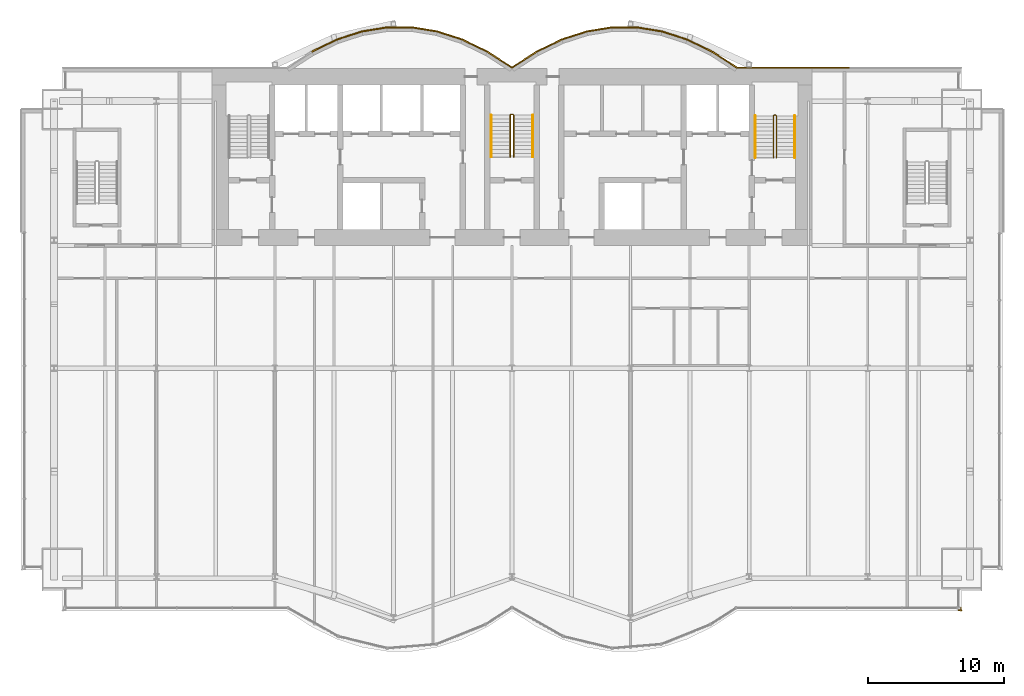
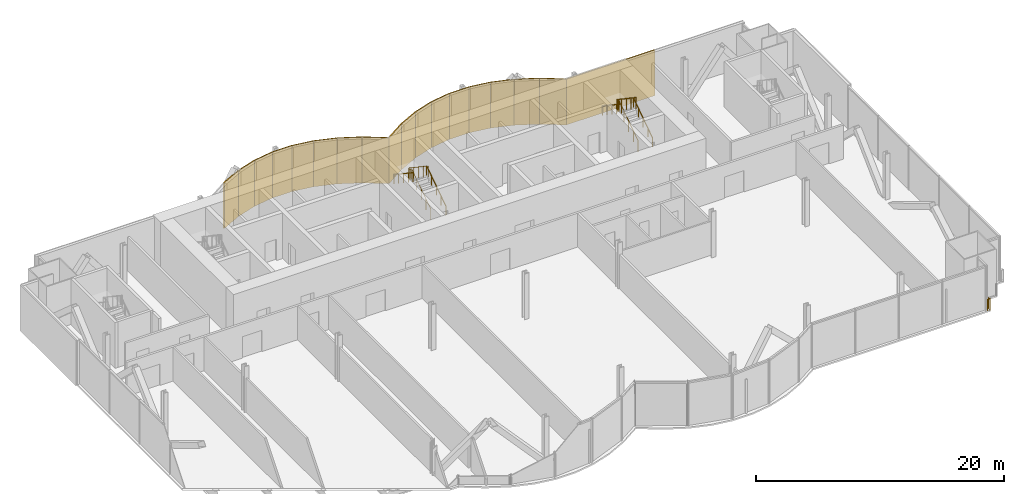
# One storey, part 20 of 21: 18 coverings, 7 railings.
"""IFC4 building model written with IfcOpenShell, lengths in metres."""

from ifc_helpers import new_model, si_unit, direction, frame, origin, origin_2d, place, context, subcontext, project, spatial, rectangle, circle, extrude, material, layer, layer_set, type_object, element, save


model = new_model("IFC4")

# Units and contexts
model_context = context("Model", 3, precision=1e-05, world=origin(), true_north=direction((0.0, 1.0)))
body_context = subcontext(model_context, "Body", "Model", "MODEL_VIEW")
ifc_project = project(units=[si_unit("LENGTHUNIT", "METRE"), si_unit("AREAUNIT", "SQUARE_METRE"), si_unit("VOLUMEUNIT", "CUBIC_METRE"), si_unit("PLANEANGLEUNIT", "RADIAN"), si_unit("MASSUNIT", "GRAM", prefix="KILO")], contexts=[model_context])

# Site, building, storey
site_placement = place(None, origin())
site = spatial("IfcSite", under=ifc_project, at=site_placement, CompositionType="ELEMENT")
building_placement = place(site_placement, origin())
building = spatial("IfcBuilding", under=site, at=building_placement, Name="Bicima Exchange Tower", CompositionType="ELEMENT")
storey_placement = place(building_placement, frame((0.0, 0.0, 75.5)))
storey = spatial("IfcBuildingStorey", under=building, at=storey_placement, Name="L15", CompositionType="ELEMENT", Elevation=75.5)

# Coverings
ifc_material_1 = material(Name="Bronze metal cladding")
ifc_layer_1 = layer(ifc_material_1, 0.004)
ifc_material_2 = material(Name="Ventilated cavity")
ifc_layer_2 = layer(ifc_material_2, 0.06)
ifc_material_3 = material(Name="Galvanised steel rail and mineral wool", Category="steel")
ifc_layer_3 = layer(ifc_material_3, 0.036)
ifc_layer_set = layer_set([ifc_layer_1, ifc_layer_2, ifc_layer_3], Name="Ventilated cavity")
covering_type = type_object("IfcCoveringType", Name="Bronze metal cladding panel 100", PredefinedType="CLADDING", material=ifc_layer_set)
covering_1_placement = place(storey_placement, frame((20.625, 0.050048828125, -0.14990234375), z_axis=(0.0, 0.0, 1.0), x_axis=(-1.0, 0.0, 0.0)))
element("IfcCovering", 1, at=covering_1_placement, inside=storey, type_object=covering_type, Name="Bronze cladding L15 1.2", PredefinedType="CLADDING", context=body_context, shape_type="SweptSolid", body=[
    extrude(rectangle(XDim=8.25, YDim=0.10009765625, at=origin_2d()), origin(), (0.0, 0.0, 1.0), 4.5),
])
covering_2_placement = place(storey_placement, frame((15.610595703125, 0.634521484375, -0.14990234375), z_axis=(0.0, 0.0, 1.0), x_axis=(-0.839790466384, 0.542910648791, 0.0)))
element("IfcCovering", 2, at=covering_2_placement, inside=storey, type_object=covering_type, Name="Bronze cladding L15 2.1", PredefinedType="CLADDING", context=body_context, shape_type="SweptSolid", body=[
    extrude(rectangle(XDim=2.18310546875, YDim=0.10009765625, at=origin_2d()), origin(), (0.0, 0.0, 1.0), 4.5),
])
covering_3_placement = place(storey_placement, frame((13.771728515625, 1.674560546875, -0.14990234375), z_axis=(0.0, 0.0, 1.0), x_axis=(-0.899818346812, 0.436264762204, 0.0)))
element("IfcCovering", 3, at=covering_3_placement, inside=storey, type_object=covering_type, Name="Bronze cladding L15 3.1", PredefinedType="CLADDING", context=body_context, shape_type="SweptSolid", body=[
    extrude(rectangle(XDim=2.03759765625, YDim=0.10009765625, at=origin_2d()), origin(), (0.0, 0.0, 1.0), 4.5),
])
covering_4_placement = place(storey_placement, frame((11.931884765625, 2.41796875, -0.14990234375), z_axis=(0.0, 0.0, 1.0), x_axis=(-0.951524642381, 0.307572519808, 0.0)))
element("IfcCovering", 4, at=covering_4_placement, inside=storey, type_object=covering_type, Name="Bronze cladding L15 4.1", PredefinedType="CLADDING", context=body_context, shape_type="SweptSolid", body=[
    extrude(rectangle(XDim=1.9267578125, YDim=0.10009765625, at=origin_2d()), origin(), (0.0, 0.0, 1.0), 4.5),
])
covering_5_placement = place(storey_placement, frame((10.09130859375, 2.8642578125, -0.14990234375), z_axis=(0.0, 0.0, 1.0), x_axis=(-0.987189786347, 0.159550386184, 0.0)))
element("IfcCovering", 5, at=covering_5_placement, inside=storey, type_object=covering_type, Name="Bronze cladding L15 5.1", PredefinedType="CLADDING", context=body_context, shape_type="SweptSolid", body=[
    extrude(rectangle(XDim=1.857177734375, YDim=0.10009765625, at=origin_2d()), origin(), (0.0, 0.0, 1.0), 4.5),
])
covering_6_placement = place(storey_placement, frame((8.25, 3.012939453125, -0.14990234375), z_axis=(0.0, 0.0, 1.0), x_axis=(-1.0, 0.0, 0.0)))
element("IfcCovering", 6, at=covering_6_placement, inside=storey, type_object=covering_type, Name="Bronze cladding L15 6.1", PredefinedType="CLADDING", context=body_context, shape_type="SweptSolid", body=[
    extrude(rectangle(XDim=1.83349609375, YDim=0.10009765625, at=origin_2d()), origin(), (0.0, 0.0, 1.0), 4.5),
])
covering_7_placement = place(storey_placement, frame((6.40869140625, 2.8642578125, -0.14990234375), z_axis=(0.0, 0.0, 1.0), x_axis=(-0.987189786347, -0.159550386184, 0.0)))
element("IfcCovering", 7, at=covering_7_placement, inside=storey, type_object=covering_type, Name="Bronze cladding L15 7.1", PredefinedType="CLADDING", context=body_context, shape_type="SweptSolid", body=[
    extrude(rectangle(XDim=1.857177734375, YDim=0.10009765625, at=origin_2d()), origin(), (0.0, 0.0, 1.0), 4.5),
])
covering_8_placement = place(storey_placement, frame((4.568115234375, 2.41796875, -0.14990234375), z_axis=(0.0, 0.0, 1.0), x_axis=(-0.951524642381, -0.307572519808, 0.0)))
element("IfcCovering", 8, at=covering_8_placement, inside=storey, type_object=covering_type, Name="Bronze cladding L15 8.1", PredefinedType="CLADDING", context=body_context, shape_type="SweptSolid", body=[
    extrude(rectangle(XDim=1.9267578125, YDim=0.10009765625, at=origin_2d()), origin(), (0.0, 0.0, 1.0), 4.5),
])
covering_9_placement = place(storey_placement, frame((2.728271484375, 1.674560546875, -0.14990234375), z_axis=(0.0, 0.0, 1.0), x_axis=(-0.899818346812, -0.436264762204, 0.0)))
element("IfcCovering", 9, at=covering_9_placement, inside=storey, type_object=covering_type, Name="Bronze cladding L15 9.1", PredefinedType="CLADDING", context=body_context, shape_type="SweptSolid", body=[
    extrude(rectangle(XDim=2.03759765625, YDim=0.10009765625, at=origin_2d()), origin(), (0.0, 0.0, 1.0), 4.5),
])
for number, where, z_axis, x_axis, name in (
    (10, (0.889404296875, 0.634521484375, -0.14990234375), (0.0, 0.0, 1.0), (-0.839790466384, -0.542910648791, 0.0), "Bronze cladding L15 10.1"),
    (11, (-0.889404296875, 0.634521484375, -0.14990234375), (0.0, 0.0, 1.0), (-0.839790466384, 0.542910648791, 0.0), "Bronze cladding L15 11.1"),
):
    element("IfcCovering", number, at=place(storey_placement, frame(where, z_axis=z_axis, x_axis=x_axis)), inside=storey, type_object=covering_type, Name=name, PredefinedType="CLADDING", context=body_context, shape_type="SweptSolid", body=[
        extrude(rectangle(XDim=2.18310546875, YDim=0.10009765625, at=origin_2d()), origin(), (0.0, 0.0, 1.0), 4.5),
    ])
covering_10_placement = place(storey_placement, frame((-2.728271484375, 1.674560546875, -0.14990234375), z_axis=(0.0, 0.0, 1.0), x_axis=(-0.899818346812, 0.436264762204, 0.0)))
element("IfcCovering", 12, at=covering_10_placement, inside=storey, type_object=covering_type, Name="Bronze cladding L15 12.1", PredefinedType="CLADDING", context=body_context, shape_type="SweptSolid", body=[
    extrude(rectangle(XDim=2.03759765625, YDim=0.10009765625, at=origin_2d()), origin(), (0.0, 0.0, 1.0), 4.5),
])
covering_11_placement = place(storey_placement, frame((-4.568115234375, 2.41796875, -0.14990234375), z_axis=(0.0, 0.0, 1.0), x_axis=(-0.951524642381, 0.307572519808, 0.0)))
element("IfcCovering", 13, at=covering_11_placement, inside=storey, type_object=covering_type, Name="Bronze cladding L15 13.1", PredefinedType="CLADDING", context=body_context, shape_type="SweptSolid", body=[
    extrude(rectangle(XDim=1.9267578125, YDim=0.10009765625, at=origin_2d()), origin(), (0.0, 0.0, 1.0), 4.5),
])
covering_12_placement = place(storey_placement, frame((-6.40869140625, 2.8642578125, -0.14990234375), z_axis=(0.0, 0.0, 1.0), x_axis=(-0.987189786347, 0.159550386184, 0.0)))
element("IfcCovering", 14, at=covering_12_placement, inside=storey, type_object=covering_type, Name="Bronze cladding L15 14.1", PredefinedType="CLADDING", context=body_context, shape_type="SweptSolid", body=[
    extrude(rectangle(XDim=1.857177734375, YDim=0.10009765625, at=origin_2d()), origin(), (0.0, 0.0, 1.0), 4.5),
])
covering_13_placement = place(storey_placement, frame((-8.25, 3.012939453125, -0.14990234375), z_axis=(0.0, 0.0, 1.0), x_axis=(-1.0, 0.0, 0.0)))
element("IfcCovering", 15, at=covering_13_placement, inside=storey, type_object=covering_type, Name="Bronze cladding L15 15.1", PredefinedType="CLADDING", context=body_context, shape_type="SweptSolid", body=[
    extrude(rectangle(XDim=1.83349609375, YDim=0.10009765625, at=origin_2d()), origin(), (0.0, 0.0, 1.0), 4.5),
])
covering_14_placement = place(storey_placement, frame((-10.09130859375, 2.8642578125, -0.14990234375), z_axis=(0.0, 0.0, 1.0), x_axis=(-0.987189786347, -0.159550386184, 0.0)))
element("IfcCovering", 16, at=covering_14_placement, inside=storey, type_object=covering_type, Name="Bronze cladding L15 16.1", PredefinedType="CLADDING", context=body_context, shape_type="SweptSolid", body=[
    extrude(rectangle(XDim=1.857177734375, YDim=0.10009765625, at=origin_2d()), origin(), (0.0, 0.0, 1.0), 4.5),
])
covering_15_placement = place(storey_placement, frame((-11.931884765625, 2.41796875, -0.14990234375), z_axis=(0.0, 0.0, 1.0), x_axis=(-0.951524642381, -0.307572519808, 0.0)))
element("IfcCovering", 17, at=covering_15_placement, inside=storey, type_object=covering_type, Name="Bronze cladding L15 17.1", PredefinedType="CLADDING", context=body_context, shape_type="SweptSolid", body=[
    extrude(rectangle(XDim=1.9267578125, YDim=0.10009765625, at=origin_2d()), origin(), (0.0, 0.0, 1.0), 4.5),
])
covering_16_placement = place(storey_placement, frame((-13.771728515625, 1.674560546875, -0.14990234375), z_axis=(0.0, 0.0, 1.0), x_axis=(-0.899818346812, -0.436264762204, 0.0)))
element("IfcCovering", 18, at=covering_16_placement, inside=storey, type_object=covering_type, Name="Bronze cladding L15 18.1", PredefinedType="CLADDING", context=body_context, shape_type="SweptSolid", body=[
    extrude(rectangle(XDim=2.03759765625, YDim=0.10009765625, at=origin_2d()), origin(), (0.0, 0.0, 1.0), 4.5),
])

# Railings
ifc_material_4 = material(Name="Stainless steel and bonded safety glass", Category="steel")
railing_type_1 = type_object("IfcRailingType", Name="Edge guard 1100", PredefinedType="GUARDRAIL", material=ifc_material_4)
railing_1_placement = place(storey_placement, frame((32.949951171875, -39.553955078125, 0.0)))
element("IfcRailing", 19, at=railing_1_placement, inside=storey, type_object=railing_type_1, Name="Edge guard L15 72", PredefinedType="GUARDRAIL", context=body_context, shape_type="SweptSolid", body=[
    extrude(circle(Radius=0.02392578125, at=origin_2d()), frame((0.0, 0.0, 1.076171875), z_axis=(0.0, -1.0, 0.0), x_axis=(1.0, 0.0, 0.0)), (0.0, 0.0, 1.0), 0.25),
    extrude(circle(Radius=0.02392578125, at=origin_2d()), frame((0.0, -0.25, 1.076171875), z_axis=(0.707106781187, 0.707106781187, 0.0), x_axis=(-0.707106781187, 0.707106781187, 0.0)), (0.0, 0.0, 1.0), 0.07080078125),
    extrude(circle(Radius=0.02392578125, at=origin_2d()), frame((0.050048828125, -0.199951171875, 1.076171875), z_axis=(-1.0, 0.0, 0.0), x_axis=(0.0, -1.0, 0.0)), (0.0, 0.0, 1.0), 0.25),
    extrude(circle(Radius=0.02099609375, at=origin_2d()), origin(), (0.0, 0.0, 1.0), 1.052001953125),
    extrude(circle(Radius=0.02099609375, at=origin_2d()), frame((0.0, -0.25, 0.0)), (0.0, 0.0, 1.0), 1.052001953125),
    extrude(circle(Radius=0.02099609375, at=origin_2d()), frame((0.050048828125, -0.199951171875, 0.0)), (0.0, 0.0, 1.0), 1.052001953125),
    extrude(circle(Radius=0.02099609375, at=origin_2d()), frame((-0.199951171875, -0.199951171875, 0.0)), (0.0, 0.0, 1.0), 1.052001953125),
])
ifc_material_5 = material(Name="Stainless steel", Category="steel")
railing_type_2 = type_object("IfcRailingType", Name="Stair guard 1100", PredefinedType="GUARDRAIL", material=ifc_material_5)
railing_2_placement = place(storey_placement, frame((0.125, -6.5, 0.1875)))
element("IfcRailing", 20, at=railing_2_placement, inside=storey, type_object=railing_type_2, Name="L15 ST-C stair guard 1", PredefinedType="GUARDRAIL", context=body_context, shape_type="SweptSolid", body=[
    extrude(circle(Radius=0.02392578125, at=origin_2d()), frame((0.0, 0.0, 1.076171875), z_axis=(0.0, 0.830913701846, 0.55640131208), x_axis=(-1.0, 0.0, 0.0)), (0.0, 0.0, 1.0), 3.706787109375),
    extrude(circle(Radius=0.02392578125, at=origin_2d()), frame((0.0, 3.080078125, 3.138671875), z_axis=(-0.708833529934, 0.705375805398, 0.0), x_axis=(-0.705375805398, -0.708833529934, 0.0)), (0.0, 0.0, 1.0), 0.070556640625),
    extrude(circle(Radius=0.02392578125, at=origin_2d()), frame((-0.050048828125, 3.1298828125, 3.138671875), z_axis=(-1.0, 0.0, 0.0), x_axis=(0.0, -1.0, 0.0)), (0.0, 0.0, 1.0), 0.14990234375),
    extrude(circle(Radius=0.02392578125, at=origin_2d()), frame((-0.199951171875, 3.1298828125, 3.138671875), z_axis=(-0.249802250048, -0.248583702486, 0.935844527007), x_axis=(0.705375805398, -0.708833529934, 0.0)), (0.0, 0.0, 1.0), 0.200439453125),
    extrude(circle(Radius=0.02392578125, at=origin_2d()), frame((-0.25, 3.080078125, 3.326171875), z_axis=(0.0, -0.830913701846, 0.55640131208), x_axis=(1.0, 0.0, 0.0)), (0.0, 0.0, 1.0), 3.706787109375),
    extrude(circle(Radius=0.02099609375, at=origin_2d()), origin(), (0.0, 0.0, 1.0), 1.052001953125),
    extrude(circle(Radius=0.02099609375, at=origin_2d()), frame((0.0, 0.77001953125, 0.515625)), (0.0, 0.0, 1.0), 1.052001953125),
    extrude(circle(Radius=0.02099609375, at=origin_2d()), frame((0.0, 1.5400390625, 1.03125)), (0.0, 0.0, 1.0), 1.052001953125),
    extrude(circle(Radius=0.02099609375, at=origin_2d()), frame((0.0, 2.31005859375, 1.546875)), (0.0, 0.0, 1.0), 1.052001953125),
    extrude(circle(Radius=0.02099609375, at=origin_2d()), frame((0.0, 3.080078125, 2.0625)), (0.0, 0.0, 1.0), 1.052001953125),
    extrude(circle(Radius=0.02099609375, at=origin_2d()), frame((-0.050048828125, 3.1298828125, 2.0625)), (0.0, 0.0, 1.0), 1.052001953125),
    extrude(circle(Radius=0.02099609375, at=origin_2d()), frame((-0.199951171875, 3.1298828125, 2.0625)), (0.0, 0.0, 1.0), 1.052001953125),
    extrude(circle(Radius=0.02099609375, at=origin_2d()), frame((-0.25, 3.080078125, 2.25)), (0.0, 0.0, 1.0), 1.052001953125),
    extrude(circle(Radius=0.02099609375, at=origin_2d()), frame((-0.25, 2.31005859375, 2.765625)), (0.0, 0.0, 1.0), 1.052001953125),
    extrude(circle(Radius=0.02099609375, at=origin_2d()), frame((-0.25, 1.5400390625, 3.28125)), (0.0, 0.0, 1.0), 1.052001953125),
    extrude(circle(Radius=0.02099609375, at=origin_2d()), frame((-0.25, 0.77001953125, 3.796875)), (0.0, 0.0, 1.0), 1.052001953125),
    extrude(circle(Radius=0.02099609375, at=origin_2d()), frame((-0.25, 0.0, 4.3125)), (0.0, 0.0, 1.0), 1.052001953125),
])
railing_3_placement = place(storey_placement, frame((19.39990234375, -6.550048828125, 0.1875)))
element("IfcRailing", 21, at=railing_3_placement, inside=storey, type_object=railing_type_2, Name="L15 ST-E stair guard 1", PredefinedType="GUARDRAIL", context=body_context, shape_type="SweptSolid", body=[
    extrude(circle(Radius=0.02392578125, at=origin_2d()), frame((0.0, 0.0, 1.076171875), z_axis=(0.0, 0.830913701846, 0.55640131208), x_axis=(-1.0, 0.0, 0.0)), (0.0, 0.0, 1.0), 3.706787109375),
    extrude(circle(Radius=0.02392578125, at=origin_2d()), frame((0.0, 3.080078125, 3.138671875), z_axis=(-0.705375805398, 0.708833529934, 0.0), x_axis=(-0.708833529934, -0.705375805398, 0.0)), (0.0, 0.0, 1.0), 0.070556640625),
    extrude(circle(Radius=0.02392578125, at=origin_2d()), frame((-0.0498046875, 3.130126953125, 3.138671875), z_axis=(-1.0, 0.0, 0.0), x_axis=(0.0, -1.0, 0.0)), (0.0, 0.0, 1.0), 0.10009765625),
    extrude(circle(Radius=0.02392578125, at=origin_2d()), frame((-0.14990234375, 3.130126953125, 3.138671875), z_axis=(-0.249726431254, -0.249726431254, 0.935560483917), x_axis=(0.707106781187, -0.707106781187, 0.0)), (0.0, 0.0, 1.0), 0.200439453125),
    extrude(circle(Radius=0.02392578125, at=origin_2d()), frame((-0.199951171875, 3.080078125, 3.326171875), z_axis=(0.0, -0.830913701846, 0.55640131208), x_axis=(1.0, 0.0, 0.0)), (0.0, 0.0, 1.0), 3.706787109375),
    extrude(circle(Radius=0.02099609375, at=origin_2d()), origin(), (0.0, 0.0, 1.0), 1.052001953125),
    extrude(circle(Radius=0.02099609375, at=origin_2d()), frame((0.0, 0.77001953125, 0.515625)), (0.0, 0.0, 1.0), 1.052001953125),
    extrude(circle(Radius=0.02099609375, at=origin_2d()), frame((0.0, 1.5400390625, 1.03125)), (0.0, 0.0, 1.0), 1.052001953125),
    extrude(circle(Radius=0.02099609375, at=origin_2d()), frame((0.0, 2.31005859375, 1.546875)), (0.0, 0.0, 1.0), 1.052001953125),
    extrude(circle(Radius=0.02099609375, at=origin_2d()), frame((0.0, 3.080078125, 2.0625)), (0.0, 0.0, 1.0), 1.052001953125),
    extrude(circle(Radius=0.02099609375, at=origin_2d()), frame((-0.0498046875, 3.130126953125, 2.0625)), (0.0, 0.0, 1.0), 1.052001953125),
    extrude(circle(Radius=0.02099609375, at=origin_2d()), frame((-0.14990234375, 3.130126953125, 2.0625)), (0.0, 0.0, 1.0), 1.052001953125),
    extrude(circle(Radius=0.02099609375, at=origin_2d()), frame((-0.199951171875, 3.080078125, 2.25)), (0.0, 0.0, 1.0), 1.052001953125),
    extrude(circle(Radius=0.02099609375, at=origin_2d()), frame((-0.199951171875, 2.31005859375, 2.765625)), (0.0, 0.0, 1.0), 1.052001953125),
    extrude(circle(Radius=0.02099609375, at=origin_2d()), frame((-0.199951171875, 1.5400390625, 3.28125)), (0.0, 0.0, 1.0), 1.052001953125),
    extrude(circle(Radius=0.02099609375, at=origin_2d()), frame((-0.199951171875, 0.77001953125, 3.796875)), (0.0, 0.0, 1.0), 1.052001953125),
    extrude(circle(Radius=0.02099609375, at=origin_2d()), frame((-0.199951171875, 0.0, 4.3125)), (0.0, 0.0, 1.0), 1.052001953125),
])
railing_type_3 = type_object("IfcRailingType", Name="Stair handrail 900", PredefinedType="HANDRAIL", material=ifc_material_5)
railing_4_placement = place(storey_placement, frame((1.52490234375, -6.5, 0.1875)))
element("IfcRailing", 22, at=railing_4_placement, inside=storey, type_object=railing_type_3, Name="L15 ST-C stair handrail 1", PredefinedType="HANDRAIL", context=body_context, shape_type="SweptSolid", body=[
    extrude(circle(Radius=0.02392578125, at=origin_2d()), frame((0.0, 0.0, 0.8759765625), z_axis=(0.0, 0.830913701846, 0.55640131208), x_axis=(-1.0, 0.0, 0.0)), (0.0, 0.0, 1.0), 3.706787109375),
    extrude(circle(Radius=0.02099609375, at=origin_2d()), origin(), (0.0, 0.0, 1.0), 0.851806640625),
    extrude(circle(Radius=0.02099609375, at=origin_2d()), frame((0.0, 0.77001953125, 0.515625)), (0.0, 0.0, 1.0), 0.851806640625),
    extrude(circle(Radius=0.02099609375, at=origin_2d()), frame((0.0, 1.5400390625, 1.03125)), (0.0, 0.0, 1.0), 0.851806640625),
    extrude(circle(Radius=0.02099609375, at=origin_2d()), frame((0.0, 2.31005859375, 1.546875)), (0.0, 0.0, 1.0), 0.851806640625),
    extrude(circle(Radius=0.02099609375, at=origin_2d()), frame((0.0, 3.080078125, 2.0625)), (0.0, 0.0, 1.0), 0.851806640625),
])
railing_5_placement = place(storey_placement, frame((-1.52490234375, -3.419921875, 2.47900390625)))
element("IfcRailing", 23, at=railing_5_placement, inside=storey, type_object=railing_type_3, Name="L15 ST-C stair handrail 2", PredefinedType="HANDRAIL", context=body_context, shape_type="SweptSolid", body=[
    extrude(circle(Radius=0.02392578125, at=origin_2d()), frame((0.0, 0.0, 0.8759765625), z_axis=(0.0, -0.830913701846, 0.55640131208), x_axis=(1.0, 0.0, 0.0)), (0.0, 0.0, 1.0), 3.706787109375),
    extrude(circle(Radius=0.02099609375, at=origin_2d()), origin(), (0.0, 0.0, 1.0), 0.851806640625),
    extrude(circle(Radius=0.02099609375, at=origin_2d()), frame((0.0, -0.77001953125, 0.515625)), (0.0, 0.0, 1.0), 0.851806640625),
    extrude(circle(Radius=0.02099609375, at=origin_2d()), frame((0.0, -1.5400390625, 1.03125)), (0.0, 0.0, 1.0), 0.851806640625),
    extrude(circle(Radius=0.02099609375, at=origin_2d()), frame((0.0, -2.31005859375, 1.546875)), (0.0, 0.0, 1.0), 0.851806640625),
    extrude(circle(Radius=0.02099609375, at=origin_2d()), frame((0.0, -3.080078125, 2.0625)), (0.0, 0.0, 1.0), 0.851806640625),
])
railing_6_placement = place(storey_placement, frame((20.75, -6.550048828125, 0.1875)))
element("IfcRailing", 24, at=railing_6_placement, inside=storey, type_object=railing_type_3, Name="L15 ST-E stair handrail 1", PredefinedType="HANDRAIL", context=body_context, shape_type="SweptSolid", body=[
    extrude(circle(Radius=0.02392578125, at=origin_2d()), frame((0.0, 0.0, 0.8759765625), z_axis=(0.0, 0.830913701846, 0.55640131208), x_axis=(-1.0, 0.0, 0.0)), (0.0, 0.0, 1.0), 3.706787109375),
    extrude(circle(Radius=0.02099609375, at=origin_2d()), origin(), (0.0, 0.0, 1.0), 0.851806640625),
    extrude(circle(Radius=0.02099609375, at=origin_2d()), frame((0.0, 0.77001953125, 0.515625)), (0.0, 0.0, 1.0), 0.851806640625),
    extrude(circle(Radius=0.02099609375, at=origin_2d()), frame((0.0, 1.5400390625, 1.03125)), (0.0, 0.0, 1.0), 0.851806640625),
    extrude(circle(Radius=0.02099609375, at=origin_2d()), frame((0.0, 2.31005859375, 1.546875)), (0.0, 0.0, 1.0), 0.851806640625),
    extrude(circle(Radius=0.02099609375, at=origin_2d()), frame((0.0, 3.080078125, 2.0625)), (0.0, 0.0, 1.0), 0.851806640625),
])
railing_7_placement = place(storey_placement, frame((17.85009765625, -3.469970703125, 2.47900390625)))
element("IfcRailing", 25, at=railing_7_placement, inside=storey, type_object=railing_type_3, Name="L15 ST-E stair handrail 2", PredefinedType="HANDRAIL", context=body_context, shape_type="SweptSolid", body=[
    extrude(circle(Radius=0.02392578125, at=origin_2d()), frame((0.0, 0.0, 0.8759765625), z_axis=(0.0, -0.830913701846, 0.55640131208), x_axis=(1.0, 0.0, 0.0)), (0.0, 0.0, 1.0), 3.706787109375),
    extrude(circle(Radius=0.02099609375, at=origin_2d()), origin(), (0.0, 0.0, 1.0), 0.851806640625),
    extrude(circle(Radius=0.02099609375, at=origin_2d()), frame((0.0, -0.77001953125, 0.515625)), (0.0, 0.0, 1.0), 0.851806640625),
    extrude(circle(Radius=0.02099609375, at=origin_2d()), frame((0.0, -1.5400390625, 1.03125)), (0.0, 0.0, 1.0), 0.851806640625),
    extrude(circle(Radius=0.02099609375, at=origin_2d()), frame((0.0, -2.31005859375, 1.546875)), (0.0, 0.0, 1.0), 0.851806640625),
    extrude(circle(Radius=0.02099609375, at=origin_2d()), frame((0.0, -3.080078125, 2.0625)), (0.0, 0.0, 1.0), 0.851806640625),
])

save(model, "model.ifc")
